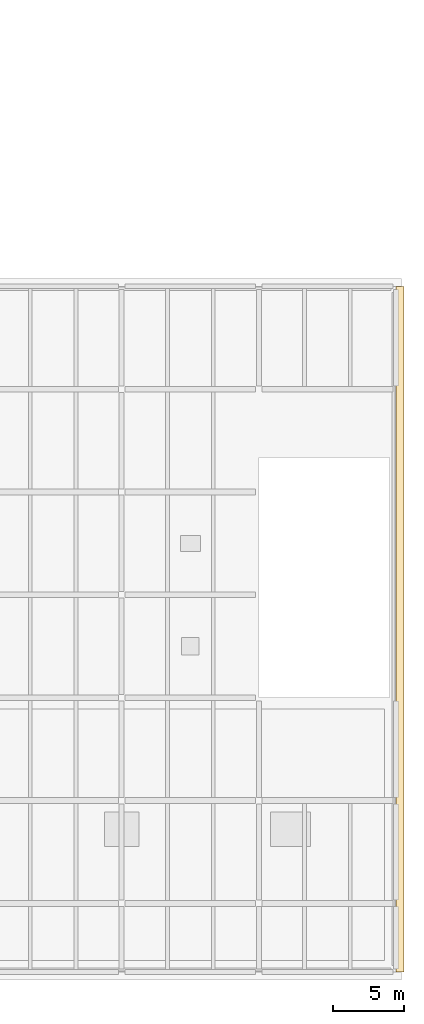
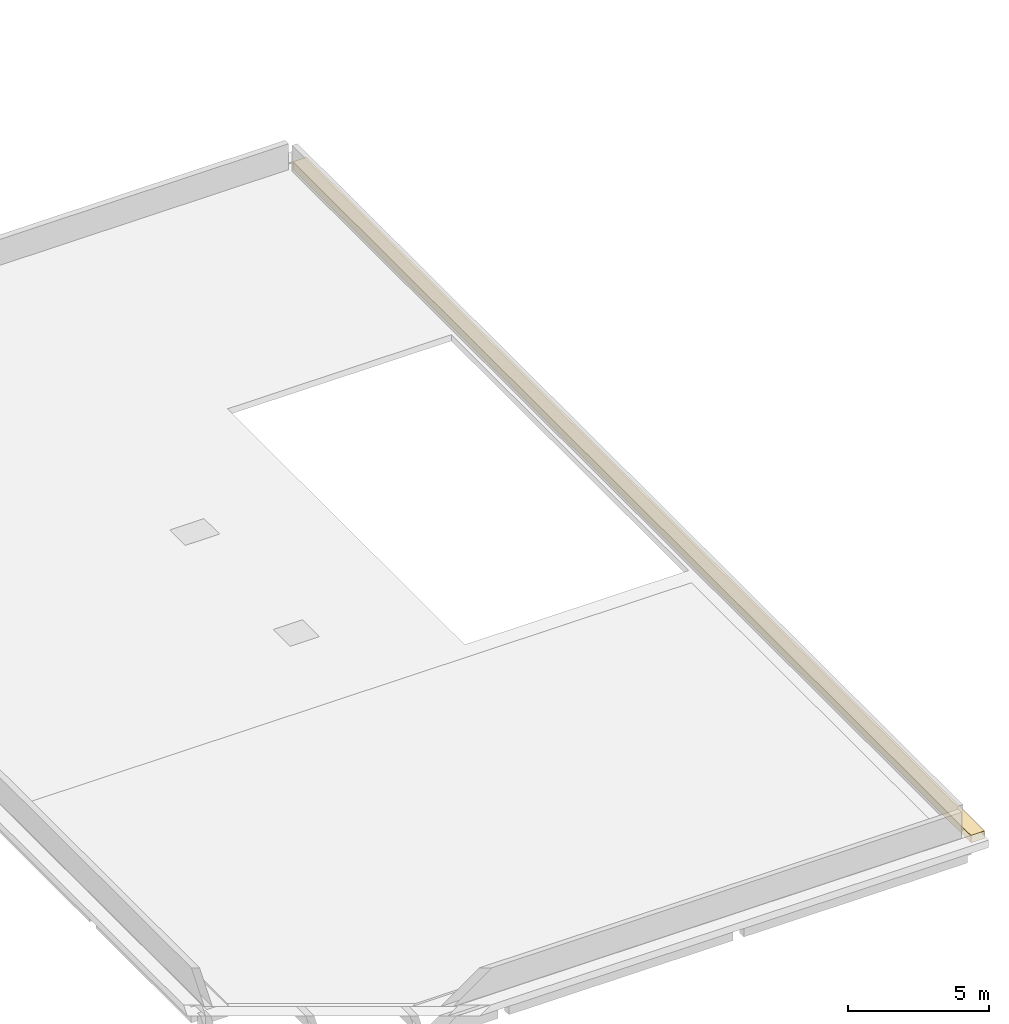
# One storey, part 23 of 24: 1 covering.
"""IFC4 building model written with IfcOpenShell, lengths in metres."""

from ifc_helpers import new_model, si_unit, direction, frame, origin, origin_2d, place, context, subcontext, project, spatial, rectangle, extrude, material, layer, layer_set, type_object, element, save


model = new_model("IFC4")

# Units and contexts
model_context = context("Model", 3, precision=1e-05, world=origin(), true_north=direction((0.0, 1.0)))
body_context = subcontext(model_context, "Body", "Model", "MODEL_VIEW")
ifc_project = project(units=[si_unit("LENGTHUNIT", "METRE"), si_unit("AREAUNIT", "SQUARE_METRE"), si_unit("VOLUMEUNIT", "CUBIC_METRE"), si_unit("PLANEANGLEUNIT", "RADIAN"), si_unit("MASSUNIT", "GRAM", prefix="KILO")], contexts=[model_context])

# Site, building, storey
site_placement = place(None, origin())
site = spatial("IfcSite", under=ifc_project, at=site_placement, CompositionType="ELEMENT")
building_placement = place(site_placement, origin())
building = spatial("IfcBuilding", under=site, at=building_placement, Name="Asteropetra Specialist Clinic", CompositionType="ELEMENT")
storey_placement = place(building_placement, frame((0.0, 0.0, 20.739990234375)))
storey = spatial("IfcBuildingStorey", under=building, at=storey_placement, Name="L05", CompositionType="ELEMENT", Elevation=20.739990234375)

# Covering
ifc_material = material(Name="Pentelic marble ashlar", Category="masonry")
ifc_layer = layer(ifc_material, 0.159912109375)
ifc_layer_set = layer_set([ifc_layer], Name="Pentelic marble ashlar")
covering_type = type_object("IfcCoveringType", Name="CRN-ENTAB-600", PredefinedType="MOLDING", material=ifc_layer_set)
covering_placement = place(storey_placement, frame((134.679931640625, 24.0, -0.27978515625), z_axis=(0.0, 0.0, 1.0), x_axis=(1.0, 0.0, 0.0)))
element("IfcCovering", 1, at=covering_placement, inside=storey, type_object=covering_type, Name="Classical Entablature Cornice EC-040", PredefinedType="MOLDING", context=body_context, shape_type="SweptSolid", body=[
    extrude(rectangle(XDim=0.56005859375, YDim=48.0, at=origin_2d()), origin(), (0.0, 0.0, 1.0), 0.320068359375),
])

save(model, "model.ifc")
